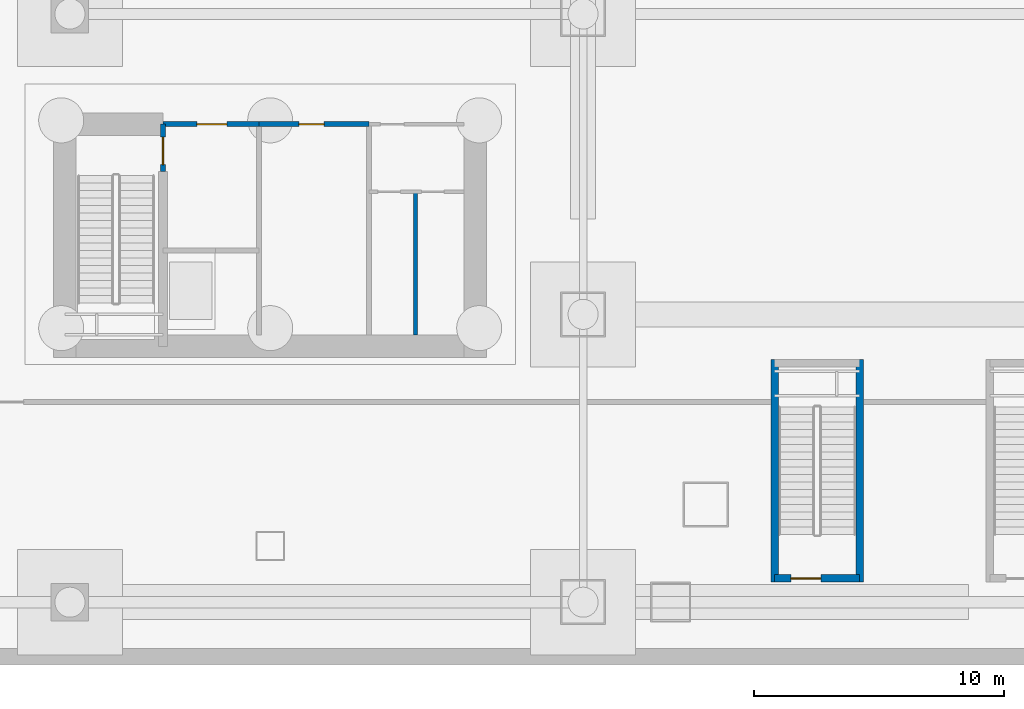
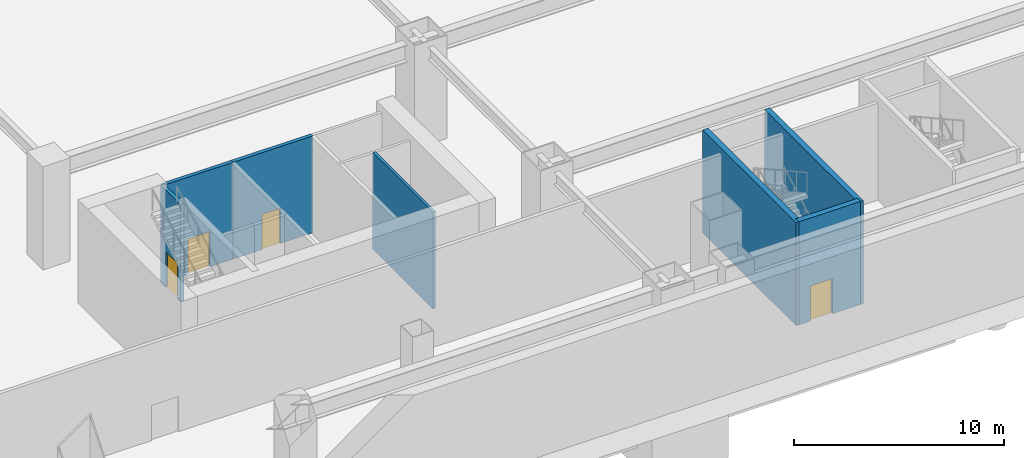
# One storey, part 6 of 20: 7 walls, 4 doors, 4 openings.
"""IFC4 building model written with IfcOpenShell, lengths in metres."""

import ifcopenshell
import ifcopenshell.guid

model = None  # the IFC model being written
_history = None  # IfcOwnerHistory: only IFC2X3 demands one
_inside = {}  # id of a spatial element -> (the spatial element, [elements in it])
_under = {}  # id of a project, library or spatial element -> (it, [spatial elements below it])
_declared = {}  # id of a project -> (the project, [libraries it declares])
_typed = {}  # id of a type object -> (the type object, [elements of that type])
_made_of = {}  # id of a material, layer set ... -> (it, [elements and type objects made of it])


def new_model(schema):
    """Start an empty IFC model of exactly this schema.

    Asked for "IFC4X3", IfcOpenShell would pick the latest addendum, in which some entities
    have other attributes; the version numbers below select the first issue.
    IFC2X3 requires an IfcOwnerHistory on every rooted entity: one is made here for all.
    """
    global model, _history
    if schema == "IFC4X3":
        model = ifcopenshell.file(schema_version=(4, 3, 0, 0))
    else:
        model = ifcopenshell.file(schema=schema)
    _inside.clear()
    _under.clear()
    _declared.clear()
    _typed.clear()
    _made_of.clear()
    _history = None
    if model.schema == "IFC2X3":
        org = make("IfcOrganization", Name="unknown")
        user = make(
            "IfcPersonAndOrganization",
            ThePerson=make("IfcPerson", FamilyName="unknown"),
            TheOrganization=org,
        )
        app = make(
            "IfcApplication",
            ApplicationDeveloper=org,
            Version="unknown",
            ApplicationFullName="unknown",
            ApplicationIdentifier="unknown",
        )
        _history = make(
            "IfcOwnerHistory",
            OwningUser=user,
            OwningApplication=app,
            ChangeAction="ADDED",
            CreationDate=0,
        )
    return model


def make(cls, **values):
    """One entity of the class cls with the attributes given. An attribute that is None is left unset."""
    return model.create_entity(
        cls, **{name: value for name, value in values.items() if value is not None}
    )


def rooted(cls, **values):
    """An entity with a GlobalId (a new one), such as an element, a storey or a relation."""
    return make(cls, GlobalId=ifcopenshell.guid.new(), OwnerHistory=_history, **values)


def si_unit(unit_type, name, prefix=None):
    """IfcSIUnit, for example si_unit("LENGTHUNIT", "METRE", prefix="MILLI")."""
    return make("IfcSIUnit", UnitType=unit_type, Prefix=prefix, Name=name)


def assignment(units):
    """IfcUnitAssignment: the units of a project."""
    return None if units is None else make("IfcUnitAssignment", Units=units)


def point(xyz):
    """IfcCartesianPoint."""
    return None if xyz is None else make("IfcCartesianPoint", Coordinates=xyz)


def direction(xyz):
    """IfcDirection."""
    return None if xyz is None else make("IfcDirection", DirectionRatios=xyz)


def frame(location, z_axis=None, x_axis=None):
    """IfcAxis2Placement3D, a coordinate frame: its origin and axes. An axis left out is left unset."""
    return make(
        "IfcAxis2Placement3D",
        Location=point(location),
        Axis=direction(z_axis),
        RefDirection=direction(x_axis),
    )


def frame_2d(location, x_axis=None):
    """IfcAxis2Placement2D, a coordinate frame in the plane: its origin and x axis."""
    return make(
        "IfcAxis2Placement2D", Location=point(location), RefDirection=direction(x_axis)
    )


def origin():
    """The frame at (0, 0, 0) with its axes left unset."""
    return frame((0.0, 0.0, 0.0))


def place(relative_to, where):
    """IfcLocalPlacement: puts the frame where relative to a parent placement (None: the world)."""
    return make(
        "IfcLocalPlacement", PlacementRelTo=relative_to, RelativePlacement=where
    )


def context(
    kind, dimensions, precision=None, world=None, true_north=None, identifier=None
):
    """IfcGeometricRepresentationContext, for example the 3D "Model" context."""
    return make(
        "IfcGeometricRepresentationContext",
        ContextIdentifier=identifier,
        ContextType=kind,
        CoordinateSpaceDimension=dimensions,
        Precision=precision,
        WorldCoordinateSystem=world,
        TrueNorth=true_north,
    )


def subcontext(parent, identifier, kind, view, scale=None):
    """IfcGeometricRepresentationSubContext, for example "Body" below "Model"."""
    return make(
        "IfcGeometricRepresentationSubContext",
        ContextIdentifier=identifier,
        ContextType=kind,
        ParentContext=parent,
        TargetScale=scale,
        TargetView=view,
    )


def project(units=None, contexts=None):
    """IfcProject with its units and contexts."""
    return rooted(
        "IfcProject",
        Name="project",
        RepresentationContexts=contexts,
        UnitsInContext=assignment(units),
    )


def spatial(cls, under=None, at=None, **own):
    """A site, building, storey or space (cls), placed at a placement, below another one or the project."""
    s = rooted(cls, ObjectPlacement=at, **own)
    if under is not None:
        _under.setdefault(under.id(), (under, []))[1].append(s)
    return s


def profile(cls, at=None, kind="AREA", **sizes):
    """A parametric profile (cls). Its sizes go by their IFC names, for example OverallWidth=200.0."""
    return make(cls, ProfileType=kind, Position=at, **sizes)


def rectangle(**sizes):
    """IfcRectangleProfileDef."""
    return profile("IfcRectangleProfileDef", **sizes)


def extrude(swept, where, along, depth):
    """IfcExtrudedAreaSolid: the profile swept, set in the frame where, extruded along a direction by depth."""
    return make(
        "IfcExtrudedAreaSolid",
        SweptArea=swept,
        Position=where,
        ExtrudedDirection=direction(along),
        Depth=depth,
    )


def shape(context_of_items, identifier, shape_type, items):
    """IfcShapeRepresentation: the items that make up one representation, for example the "Body"."""
    return make(
        "IfcShapeRepresentation",
        ContextOfItems=context_of_items,
        RepresentationIdentifier=identifier,
        RepresentationType=shape_type,
        Items=items,
    )


def material(Name=None, Category=None):
    """IfcMaterial."""
    return make("IfcMaterial", Name=Name, Category=Category)


def layer(
    of_material, thickness, ventilated=None, Name=None, Category=None, Priority=None
):
    """IfcMaterialLayer: one layer of a wall or slab, of a material (None: an air gap)."""
    return make(
        "IfcMaterialLayer",
        Material=of_material,
        LayerThickness=thickness,
        IsVentilated=ventilated,
        Name=Name,
        Category=Category,
        Priority=Priority,
    )


def layer_set(layers, Name=None):
    """IfcMaterialLayerSet."""
    return make("IfcMaterialLayerSet", MaterialLayers=layers, LayerSetName=Name)


def made_of(thing, what):
    """Note that an element or type object is made of a material, layer set ...; save() writes the relation."""
    if what is not None:
        _made_of.setdefault(what.id(), (what, []))[1].append(thing)
    return thing


def type_object(cls, material=None, **own):
    """A type object (cls), such as IfcWallType, which elements share."""
    return made_of(rooted(cls, **own), material)


def element(
    cls,
    number,
    at=None,
    inside=None,
    cuts=None,
    type_object=None,
    material=None,
    context=None,
    identifier="Body",
    shape_type=None,
    held_by="IfcProductDefinitionShape",
    body=None,
    shapes=None,
    **own,
):
    """One element of the class cls, such as IfcWall. Its Tag is "e" and its number.

    at: its placement. inside: the storey or other place that contains it. cuts: it is an
    opening in that element (IfcRelVoidsElement). A single representation is given by context,
    identifier, shape_type and body (its items); several are given by shapes. held_by: the class
    of the entity that holds the representations. save() writes the other relations.
    """
    e = rooted(cls, Tag="e%d" % number, ObjectPlacement=at, **own)
    if body is not None:
        shapes = [shape(context, identifier, shape_type, body)]
    if shapes is not None:
        e.Representation = make(held_by, Representations=shapes)
    if inside is not None:
        _inside.setdefault(inside.id(), (inside, []))[1].append(e)
    if cuts is not None:
        rooted(
            "IfcRelVoidsElement", RelatingBuildingElement=cuts, RelatedOpeningElement=e
        )
    if type_object is not None:
        _typed.setdefault(type_object.id(), (type_object, []))[1].append(e)
    return made_of(e, material)


def fill(opening, filler):
    """IfcRelFillsElement: the door or window that sits in an opening."""
    return rooted(
        "IfcRelFillsElement",
        RelatingOpeningElement=opening,
        RelatedBuildingElement=filler,
    )


def aggregate(whole, parts):
    """IfcRelAggregates: a whole, such as a stair, and the parts it consists of."""
    return rooted("IfcRelAggregates", RelatingObject=whole, RelatedObjects=parts)


def save(model, path):
    """Write the relations noted so far, then the file.

    IfcRelAggregates (storeys below a building ...), IfcRelContainedInSpatialStructure (elements
    in a storey), IfcRelDefinesByType, IfcRelAssociatesMaterial and IfcRelDeclares: one each for
    every whole, place, type object, material and project.
    """
    for whole, parts in _under.values():
        aggregate(whole, parts)
    for where, things in _inside.values():
        rooted(
            "IfcRelContainedInSpatialStructure",
            RelatedElements=things,
            RelatingStructure=where,
        )
    for kind, things in _typed.values():
        rooted("IfcRelDefinesByType", RelatedObjects=things, RelatingType=kind)
    for what, things in _made_of.values():
        rooted("IfcRelAssociatesMaterial", RelatedObjects=things, RelatingMaterial=what)
    for by, libraries in _declared.values():
        rooted("IfcRelDeclares", RelatingContext=by, RelatedDefinitions=libraries)
    model.write(path)


model = new_model("IFC4")

# Units and contexts
model_context = context("Model", 3, precision=1e-05, world=origin(), true_north=direction((0.0, 1.0)))
body_context = subcontext(model_context, "Body", "Model", "MODEL_VIEW")
ifc_project = project(units=[si_unit("LENGTHUNIT", "METRE"), si_unit("AREAUNIT", "SQUARE_METRE"), si_unit("VOLUMEUNIT", "CUBIC_METRE"), si_unit("PLANEANGLEUNIT", "RADIAN"), si_unit("MASSUNIT", "GRAM", prefix="KILO")], contexts=[model_context])

# Site, building, storey
site_placement = place(None, origin())
site = spatial("IfcSite", under=ifc_project, at=site_placement, CompositionType="ELEMENT")
building_placement = place(site_placement, origin())
building = spatial("IfcBuilding", under=site, at=building_placement, Name="Qiaolan Cultural Towers", CompositionType="ELEMENT")
storey_placement = place(building_placement, frame((0.0, 0.0, -12.0)))
storey = spatial("IfcBuildingStorey", under=building, at=storey_placement, Name="B2", CompositionType="ELEMENT", Elevation=-12.0)

# Walls
ifc_material_1 = material(Name="Concrete C50", Category="concrete")
ifc_layer_1 = layer(ifc_material_1, 0.35009765625)
ifc_layer_set_1 = layer_set([ifc_layer_1], Name="Concrete C50")
wall_type_1 = type_object("IfcWallType", Name="WL-CORE-350", PredefinedType="SHEAR", material=ifc_layer_set_1)
for number, where, z_axis, x_axis, name in (
    (1, (50.14990234375, 3.300048828125, 0.0), (0.0, 0.0, 1.0), (0.0, 1.0, 0.0), "B2 STM1 Stair Shaft Wall W"),
    (2, (53.550048828125, 3.300048828125, 0.0), (0.0, 0.0, 1.0), (0.0, 1.0, 0.0), "B2 STM1 Stair Shaft Wall E"),
):
    element("IfcWall", number, at=place(storey_placement, frame(where, z_axis=z_axis, x_axis=x_axis)), inside=storey, type_object=wall_type_1, Name=name, PredefinedType="SHEAR", context=body_context, shape_type="SweptSolid", body=[
        extrude(rectangle(XDim=8.89990234375, YDim=0.300048828125, at=frame_2d((4.449951171875, 0.0))), origin(), (0.0, 0.0, 1.0), 6.0),
    ])

# Wall, opening, door
wall_1_placement = place(storey_placement, frame((50.14990234375, 3.449951171875, 0.0), z_axis=(0.0, 0.0, 1.0), x_axis=(1.0, 0.0, 0.0)))
wall_1 = element("IfcWall", 3, at=wall_1_placement, inside=storey, type_object=wall_type_1, Name="B2 STM1 Stair Shaft Wall S", PredefinedType="SHEAR", context=body_context, shape_type="SweptSolid", body=[
    extrude(rectangle(XDim=3.400146484375, YDim=0.300048828125, at=frame_2d((1.7001953125, 0.0))), origin(), (0.0, 0.0, 1.0), 6.0),
])
opening_1_placement = place(wall_1_placement, frame((0.64990234375, 0.0, 0.0)))
opening_1 = element("IfcOpeningElement", 4, at=opening_1_placement, cuts=wall_1, Name="Opening FD-03", PredefinedType="OPENING", context=body_context, shape_type="SweptSolid", body=[
    extrude(rectangle(XDim=1.199951171875, YDim=2.050048828125, at=frame_2d((0.60009765625, 1.02490234375))), frame((0.0, 0.159912109375, 0.0), z_axis=(0.0, -1.0, 0.0), x_axis=(1.0, 0.0, 0.0)), (0.0, 0.0, 1.0), 0.320068359375),
])
ifc_material_2 = material(Name="Galvanized Steel Smokeproof Lobby Fire Door", Category="steel")
door_type_1 = type_object("IfcDoorType", Name="DR-FD90-1200", OperationType="NOTDEFINED", PredefinedType="DOOR", material=ifc_material_2)
door_1_placement = place(opening_1_placement, origin())
door_1 = element("IfcDoor", 5, at=door_1_placement, inside=storey, type_object=door_type_1, Name="B2 Exit Stair ST-M1 Fire Door", OperationType="SINGLE_SWING_LEFT", OverallHeight=2.050048828125, OverallWidth=1.199951171875, PredefinedType="DOOR", context=body_context, shape_type="SweptSolid", body=[
    extrude(rectangle(XDim=1.199951171875, YDim=2.050048828125, at=frame_2d((0.60009765625, 1.02490234375))), frame((0.0, 0.02490234375, 0.0), z_axis=(0.0, -1.0, 0.0), x_axis=(1.0, 0.0, 0.0)), (0.0, 0.0, 1.0), 0.050048828125),
])
fill(opening_1, door_1)

ifc_material_3 = material(Name="Concrete C35 Fire Wall", Category="concrete")
ifc_layer_2 = layer(ifc_material_3, 0.199951171875)
ifc_layer_set_2 = layer_set([ifc_layer_2], Name="Concrete C35 Fire Wall")
wall_type_2 = type_object("IfcWallType", Name="WL-FIRE-200", PredefinedType="PARTITIONING", material=ifc_layer_set_2)
wall_2_placement = place(storey_placement, frame((25.719970703125, 21.60009765625, 0.0), z_axis=(0.0, 0.0, 1.0), x_axis=(0.0, -1.0, 0.0)))
wall_2 = element("IfcWall", 6, at=wall_2_placement, inside=storey, type_object=wall_type_2, Name="B2 T1-CS Smokeproof Stair Entry Wall", PredefinedType="PARTITIONING", context=body_context, shape_type="SweptSolid", body=[
    extrude(rectangle(XDim=1.900146484375, YDim=0.199951171875, at=frame_2d((0.9501953125, 0.0))), origin(), (0.0, 0.0, 1.0), 5.635009765625),
])
opening_2_placement = place(wall_2_placement, frame((0.52001953125, 0.0, 0.0)))
opening_2 = element("IfcOpeningElement", 7, at=opening_2_placement, cuts=wall_2, Name="Opening FD-04", PredefinedType="OPENING", context=body_context, shape_type="SweptSolid", body=[
    extrude(rectangle(XDim=1.10009765625, YDim=2.050048828125, at=frame_2d((0.550048828125, 1.02490234375))), frame((0.0, 0.10986328125, 0.0), z_axis=(0.0, -1.0, 0.0), x_axis=(1.0, 0.0, 0.0)), (0.0, 0.0, 1.0), 0.219970703125),
])
ifc_material_4 = material(Name="Galvanized Steel Command Fire Door", Category="steel")
door_type_2 = type_object("IfcDoorType", Name="DR-FD90-1100", OperationType="NOTDEFINED", PredefinedType="DOOR", material=ifc_material_4)
door_2_placement = place(opening_2_placement, origin())
door_2 = element("IfcDoor", 8, at=door_2_placement, inside=storey, type_object=door_type_2, Name="B2 ST-W1 Smokeproof Stair Fire Door", OperationType="SINGLE_SWING_LEFT", OverallHeight=2.050048828125, OverallWidth=1.10009765625, PredefinedType="DOOR", context=body_context, shape_type="SweptSolid", body=[
    extrude(rectangle(XDim=1.10009765625, YDim=2.050048828125, at=frame_2d((0.550048828125, 1.02490234375))), frame((0.0, 0.02490234375, 0.0), z_axis=(0.0, -1.0, 0.0), x_axis=(1.0, 0.0, 0.0)), (0.0, 0.0, 1.0), 0.050048828125),
])
fill(opening_2, door_2)

wall_3_placement = place(storey_placement, frame((25.719970703125, 21.60009765625, 0.0), z_axis=(0.0, 0.0, 1.0), x_axis=(1.0, 0.0, 0.0)))
wall_3 = element("IfcWall", 9, at=wall_3_placement, inside=storey, type_object=wall_type_2, Name="B2 T1-CS Firefighting Lobby Front Wall", PredefinedType="PARTITIONING", context=body_context, shape_type="SweptSolid", body=[
    extrude(rectangle(XDim=3.830078125, YDim=0.199951171875, at=frame_2d((1.9150390625, 0.0))), origin(), (0.0, 0.0, 1.0), 5.635009765625),
])
opening_3_placement = place(wall_3_placement, frame((1.35009765625, 0.0, 0.0)))
opening_3 = element("IfcOpeningElement", 10, at=opening_3_placement, cuts=wall_3, Name="Opening FD-03", PredefinedType="OPENING", context=body_context, shape_type="SweptSolid", body=[
    extrude(rectangle(XDim=1.199951171875, YDim=2.050048828125, at=frame_2d((0.60009765625, 1.02490234375))), frame((0.0, 0.10986328125, 0.0), z_axis=(0.0, -1.0, 0.0), x_axis=(1.0, 0.0, 0.0)), (0.0, 0.0, 1.0), 0.219970703125),
])
door_3_placement = place(opening_3_placement, origin())
door_3 = element("IfcDoor", 11, at=door_3_placement, inside=storey, type_object=door_type_1, Name="B2 FFL-W1 Firefighting Lobby Fire Door", OperationType="SINGLE_SWING_LEFT", OverallHeight=2.050048828125, OverallWidth=1.199951171875, PredefinedType="DOOR", context=body_context, shape_type="SweptSolid", body=[
    extrude(rectangle(XDim=1.199951171875, YDim=2.050048828125, at=frame_2d((0.60009765625, 1.02490234375))), frame((0.0, 0.02490234375, 0.0), z_axis=(0.0, -1.0, 0.0), x_axis=(1.0, 0.0, 0.0)), (0.0, 0.0, 1.0), 0.050048828125),
])
fill(opening_3, door_3)

wall_4_placement = place(storey_placement, frame((29.550048828125, 21.60009765625, 0.0), z_axis=(0.0, 0.0, 1.0), x_axis=(1.0, 0.0, 0.0)))
wall_4 = element("IfcWall", 12, at=wall_4_placement, inside=storey, type_object=wall_type_2, Name="B2 T1-CS Basement Core Store Front Wall", PredefinedType="PARTITIONING", context=body_context, shape_type="SweptSolid", body=[
    extrude(rectangle(XDim=4.39990234375, YDim=0.199951171875, at=frame_2d((2.199951171875, 0.0))), origin(), (0.0, 0.0, 1.0), 5.635009765625),
])
opening_4_placement = place(wall_4_placement, frame((1.60009765625, 0.0, 0.0)))
opening_4 = element("IfcOpeningElement", 13, at=opening_4_placement, cuts=wall_4, Name="Opening FD-07", PredefinedType="OPENING", context=body_context, shape_type="SweptSolid", body=[
    extrude(rectangle(XDim=1.0, YDim=2.050048828125, at=frame_2d((0.5, 1.02490234375))), frame((0.0, 0.10986328125, 0.0), z_axis=(0.0, -1.0, 0.0), x_axis=(1.0, 0.0, 0.0)), (0.0, 0.0, 1.0), 0.219970703125),
])
ifc_material_5 = material(Name="Painted Steel Riser Fire Door", Category="steel")
door_type_3 = type_object("IfcDoorType", Name="DR-FD60-1000", OperationType="NOTDEFINED", PredefinedType="DOOR", material=ifc_material_5)
door_4_placement = place(opening_4_placement, origin())
door_4 = element("IfcDoor", 14, at=door_4_placement, inside=storey, type_object=door_type_3, Name="B2 Core Maintenance Store Door", OperationType="SINGLE_SWING_LEFT", OverallHeight=2.050048828125, OverallWidth=1.0, PredefinedType="DOOR", context=body_context, shape_type="SweptSolid", body=[
    extrude(rectangle(XDim=1.0, YDim=2.050048828125, at=frame_2d((0.5, 1.02490234375))), frame((0.0, 0.02490234375, 0.0), z_axis=(0.0, -1.0, 0.0), x_axis=(1.0, 0.0, 0.0)), (0.0, 0.0, 1.0), 0.050048828125),
])
fill(opening_4, door_4)

# Wall
ifc_material_6 = material(Name="Autoclaved Aerated Concrete Block B06", Category="concrete")
ifc_layer_3 = layer(ifc_material_6, 0.14990234375)
ifc_layer_set_3 = layer_set([ifc_layer_3], Name="Autoclaved Aerated Concrete Block B06")
wall_type_3 = type_object("IfcWallType", Name="WL-PART-150", PredefinedType="PARTITIONING", material=ifc_layer_set_3)
wall_5_placement = place(storey_placement, frame((35.800048828125, 18.89990234375, 0.0), z_axis=(0.0, 0.0, 1.0), x_axis=(0.0, -1.0, 0.0)))
element("IfcWall", 15, at=wall_5_placement, inside=storey, type_object=wall_type_3, Name="B2 T1-CS Restroom Divider Wall", PredefinedType="PARTITIONING", context=body_context, shape_type="SweptSolid", body=[
    extrude(rectangle(XDim=5.72998046875, YDim=0.14990234375, at=frame_2d((2.864990234375, 0.0))), origin(), (0.0, 0.0, 1.0), 5.635009765625),
])

save(model, "model.ifc")
